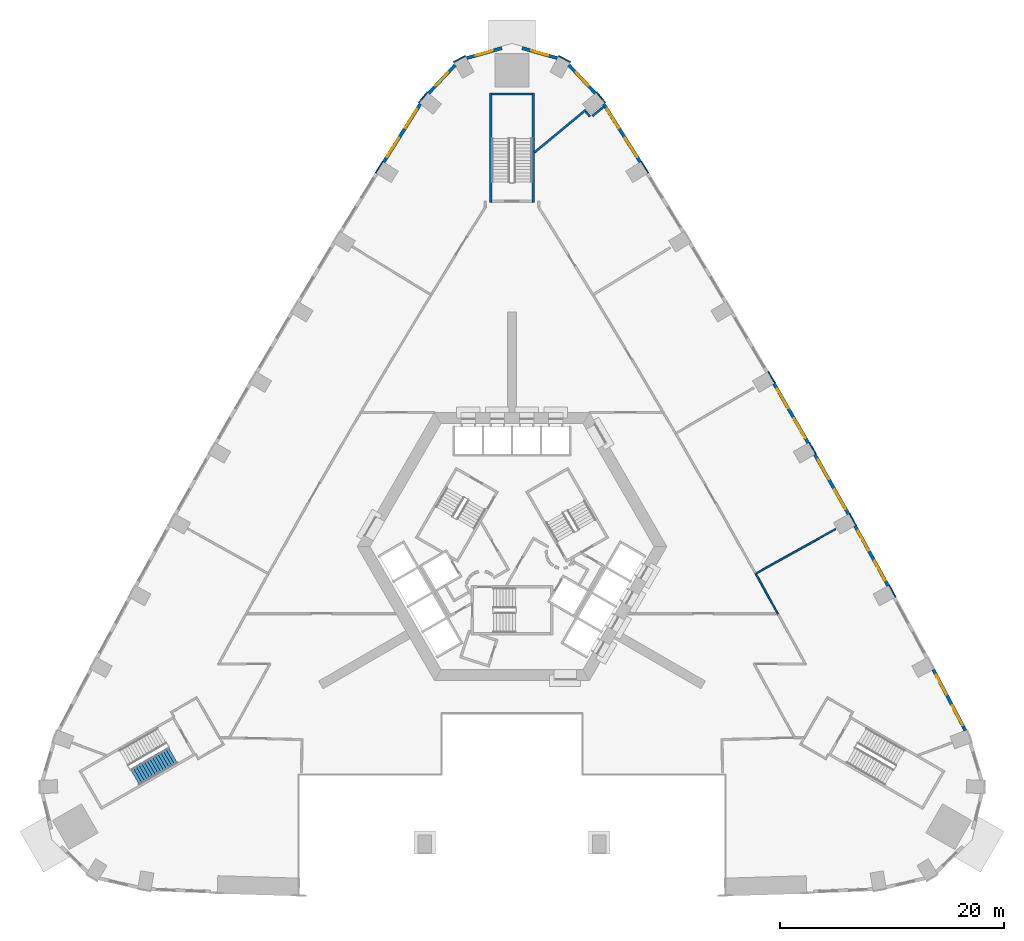
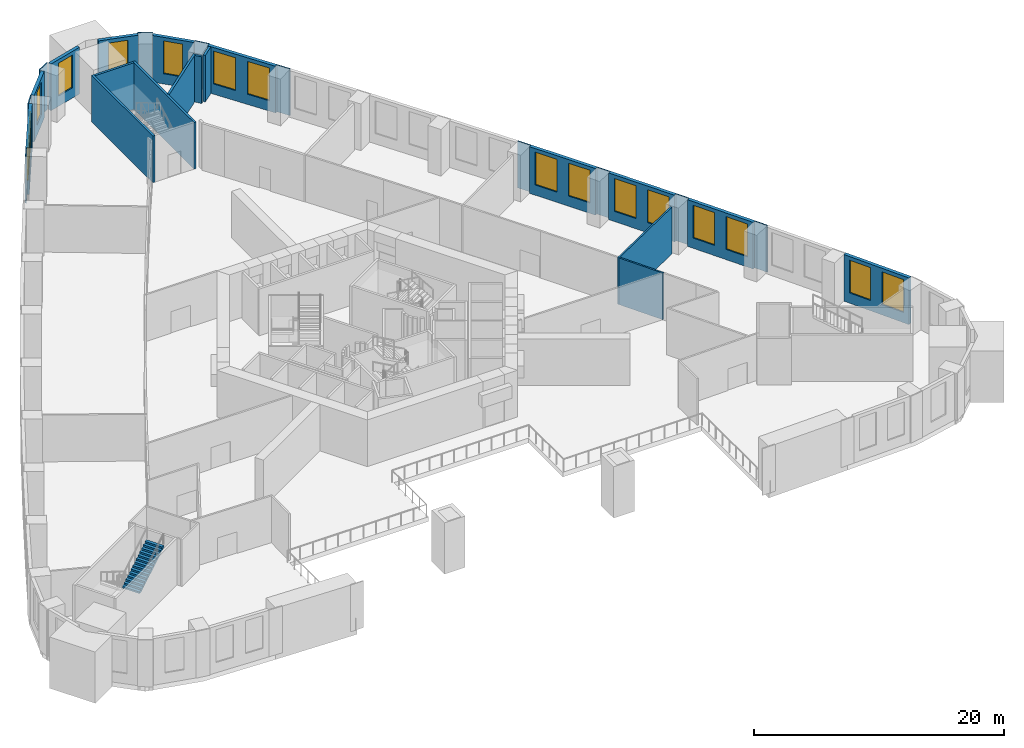
# One storey, part 8 of 16: 28 walls, 16 windows, 1 stair flight, 16 openings, 1 element without a shape of its own.
"""IFC4 building model written with IfcOpenShell, lengths in metres."""

from ifc_helpers import new_model, si_unit, direction, frame, frame_2d, origin, place, context, subcontext, project, spatial, polyline, rectangle, outline, extrude, material, layer, layer_set, type_object, element, fill, aggregate, save


model = new_model("IFC4")

# Units and contexts
model_context = context("Model", 3, precision=1e-05, world=origin(), true_north=direction((0.0, 1.0)))
body_context = subcontext(model_context, "Body", "Model", "MODEL_VIEW")
ifc_project = project(units=[si_unit("LENGTHUNIT", "METRE"), si_unit("AREAUNIT", "SQUARE_METRE"), si_unit("VOLUMEUNIT", "CUBIC_METRE"), si_unit("PLANEANGLEUNIT", "RADIAN"), si_unit("MASSUNIT", "GRAM", prefix="KILO")], contexts=[model_context])

# Site, building, storey
site_placement = place(None, origin())
site = spatial("IfcSite", under=ifc_project, at=site_placement, CompositionType="ELEMENT")
building_placement = place(site_placement, origin())
building = spatial("IfcBuilding", under=site, at=building_placement, Name="Entoto Arch Interchange Tower", CompositionType="ELEMENT")
storey_placement = place(building_placement, frame((0.0, 0.0, 25.0)))
storey = spatial("IfcBuildingStorey", under=building, at=storey_placement, Name="L04", CompositionType="ELEMENT", Elevation=25.0)

# Walls
ifc_material_1 = material(Name="Gypsum board partition on steel studs", Category="steel")
ifc_layer_1 = layer(ifc_material_1, 0.14990234375)
ifc_layer_set_1 = layer_set([ifc_layer_1], Name="Gypsum board partition on steel studs")
wall_type_1 = type_object("IfcWallType", Name="PARTITION 150", PredefinedType="PARTITIONING", material=ifc_layer_set_1)
wall_1_placement = place(storey_placement, frame((21.735107421875, 0.0439453125, 0.0), z_axis=(0.0, 0.0, 1.0), x_axis=(0.873420749931, 0.48696631669, 0.0)))
element("IfcWall", 1, at=wall_1_placement, inside=storey, type_object=wall_type_1, Name="wall:L04:p044", PredefinedType="PARTITIONING", context=body_context, shape_type="SweptSolid", body=[
    extrude(rectangle(XDim=8.251220703125, YDim=0.14990234375, at=frame_2d((4.12548828125, 0.0))), origin(), (0.0, 0.0, 1.0), 4.550048828125),
])
wall_2_placement = place(storey_placement, frame((23.81396484375, -3.56494140625, 0.0), z_axis=(0.0, 0.0, 1.0), x_axis=(-0.483357057036, 0.875423300703, 0.0)))
element("IfcWall", 2, at=wall_2_placement, inside=storey, type_object=wall_type_1, Name="wall:L04:p052", PredefinedType="PARTITIONING", context=body_context, shape_type="SweptSolid", body=[
    extrude(rectangle(XDim=4.083740234375, YDim=0.14990234375, at=frame_2d((2.0419921875, 0.0))), origin(), (0.0, 0.0, 1.0), 4.550048828125),
])
ifc_layer_2 = layer(ifc_material_1, 0.199951171875)
ifc_layer_set_2 = layer_set([ifc_layer_2], Name="Gypsum board partition on steel studs")
wall_type_2 = type_object("IfcWallType", Name="PARTITION 200", PredefinedType="PARTITIONING", material=ifc_layer_set_2)
wall_3_placement = place(storey_placement, frame((2.0, 37.758056640625, 0.0), z_axis=(0.0, 0.0, 1.0), x_axis=(0.7702988792, 0.637683022122, 0.0)))
element("IfcWall", 3, at=wall_3_placement, inside=storey, type_object=wall_type_2, Name="wall:L04:p060", PredefinedType="PARTITIONING", context=body_context, shape_type="SweptSolid", body=[
    extrude(rectangle(XDim=5.9794921875, YDim=0.199951171875, at=frame_2d((2.98974609375, 0.0))), origin(), (0.0, 0.0, 1.0), 4.550048828125),
])
wall_4_placement = place(storey_placement, frame((6.593017578125, 41.429931640625, 0.0), z_axis=(0.0, 0.0, 1.0), x_axis=(0.636576557089, -0.771213515808, 0.0)))
element("IfcWall", 4, at=wall_4_placement, inside=storey, type_object=wall_type_2, Name="wall:L04:p061", PredefinedType="PARTITIONING", context=body_context, shape_type="SweptSolid", body=[
    extrude(rectangle(XDim=0.60009765625, YDim=0.199951171875, at=frame_2d((0.300048828125, 0.0))), origin(), (0.0, 0.0, 1.0), 4.550048828125),
])
wall_5_placement = place(storey_placement, frame((7.193115234375, 41.01806640625, 0.0), z_axis=(0.0, 0.0, 1.0), x_axis=(0.77046149962, 0.637486531311, 0.0)))
element("IfcWall", 5, at=wall_5_placement, inside=storey, type_object=wall_type_2, Name="wall:L04:p062", PredefinedType="PARTITIONING", context=body_context, shape_type="SweptSolid", body=[
    extrude(rectangle(XDim=1.29248046875, YDim=0.199951171875, at=frame_2d((0.646240234375, 0.0))), origin(), (0.0, 0.0, 1.0), 4.550048828125),
])
ifc_material_2 = material(Name="Concrete C40/50", Category="concrete")
ifc_layer_3 = layer(ifc_material_2, 0.199951171875)
ifc_layer_set_3 = layer_set([ifc_layer_3], Name="Concrete C40/50")
wall_type_3 = type_object("IfcWallType", Name="STAIR ENCLOSURE WALL 200", PredefinedType="STANDARD", material=ifc_layer_set_3)
for number, where, z_axis, x_axis, name in (
    (6, (1.89990234375, 33.300048828125, 0.0), (0.0, 0.0, 1.0), (0.0, 1.0, 0.0), "Stair wall PST-N left"),
    (7, (-1.89990234375, 33.300048828125, 0.0), (0.0, 0.0, 1.0), (0.0, 1.0, 0.0), "Stair wall PST-N right"),
):
    element("IfcWall", number, at=place(storey_placement, frame(where, z_axis=z_axis, x_axis=x_axis)), inside=storey, type_object=wall_type_3, Name=name, PredefinedType="STANDARD", context=body_context, shape_type="SweptSolid", body=[
        extrude(rectangle(XDim=9.800048828125, YDim=0.199951171875, at=frame_2d((4.89990234375, 0.0))), origin(), (0.0, 0.0, 1.0), 4.550048828125),
    ])
wall_6_placement = place(storey_placement, frame((1.800048828125, 43.0, 0.0), z_axis=(0.0, 0.0, 1.0), x_axis=(-1.0, 0.0, 0.0)))
element("IfcWall", 8, at=wall_6_placement, inside=storey, type_object=wall_type_3, Name="Stair wall PST-N far", PredefinedType="STANDARD", context=body_context, shape_type="SweptSolid", body=[
    extrude(rectangle(XDim=3.60009765625, YDim=0.199951171875, at=frame_2d((1.800048828125, 0.0))), origin(), (0.0, 0.0, 1.0), 4.550048828125),
])

# Wall, openings, windows
ifc_material_3 = material(Name="Welded tuff (ignimbrite) cladding, warm buff", Category="masonry")
ifc_layer_4 = layer(ifc_material_3, 0.300048828125)
ifc_layer_set_4 = layer_set([ifc_layer_4], Name="Welded tuff (ignimbrite) cladding, warm buff")
wall_type_4 = type_object("IfcWallType", Name="STONE INFILL WALL 300", PredefinedType="STANDARD", material=ifc_layer_set_4)
wall_7_placement = place(storey_placement, frame((40.568115234375, -13.9560546875, 0.0), z_axis=(0.0, 0.0, 1.0), x_axis=(-0.466125129602, 0.884718804792, 0.0)))
wall_7 = element("IfcWall", 9, at=wall_7_placement, inside=storey, type_object=wall_type_4, Name="Facade wall NE-01 L04", PredefinedType="STANDARD", context=body_context, shape_type="SweptSolid", body=[
    extrude(rectangle(XDim=6.16357421875, YDim=0.300048828125, at=frame_2d((3.081787109375, 0.0))), origin(), (0.0, 0.0, 1.0), 4.550048828125),
])
opening_1_placement = place(wall_7_placement, frame((0.541015625, 0.0, 1.0)))
opening_1 = element("IfcOpeningElement", 10, at=opening_1_placement, cuts=wall_7, Name="Opening WP-E", PredefinedType="OPENING", context=body_context, shape_type="SweptSolid", body=[
    extrude(rectangle(XDim=2.0, YDim=3.199951171875, at=frame_2d((1.0, 1.60009765625))), frame((0.0, 0.16015625, 0.0), z_axis=(0.0, -1.0, 0.0), x_axis=(1.0, 0.0, 0.0)), (0.0, 0.0, 1.0), 0.320068359375),
])
opening_2_placement = place(wall_7_placement, frame((3.623046875, 0.0, 1.0)))
opening_2 = element("IfcOpeningElement", 11, at=opening_2_placement, cuts=wall_7, Name="Opening WP-E", PredefinedType="OPENING", context=body_context, shape_type="SweptSolid", body=[
    extrude(rectangle(XDim=2.0, YDim=3.199951171875, at=frame_2d((1.0, 1.60009765625))), frame((0.0, 0.16015625, 0.0), z_axis=(0.0, -1.0, 0.0), x_axis=(1.0, 0.0, 0.0)), (0.0, 0.0, 1.0), 0.320068359375),
])
ifc_material_4 = material(Name="Clear glass, low-e double glazed", Category="glass")
window_type_1 = type_object("IfcWindowType", Name="WINDOW WP-E 2000x3200", PartitioningType="DOUBLE_PANEL_VERTICAL", PredefinedType="WINDOW", material=ifc_material_4)
window_1_placement = place(opening_1_placement, origin())
window_1 = element("IfcWindow", 12, at=window_1_placement, inside=storey, type_object=window_type_1, Name="Window WP-E NE-01 L04", OverallHeight=3.199951171875, OverallWidth=2.0, PartitioningType="SINGLE_PANEL", PredefinedType="WINDOW", context=body_context, shape_type="SweptSolid", body=[
    extrude(rectangle(XDim=2.0, YDim=3.199951171875, at=frame_2d((1.0, 1.60009765625))), frame((0.0, 0.030029296875, 0.0), z_axis=(0.0, -1.0, 0.0), x_axis=(1.0, 0.0, 0.0)), (0.0, 0.0, 1.0), 0.06005859375),
])
fill(opening_1, window_1)
window_2_placement = place(opening_2_placement, origin())
window_2 = element("IfcWindow", 13, at=window_2_placement, inside=storey, type_object=window_type_1, Name="Window WP-E NE-01 L04", OverallHeight=3.199951171875, OverallWidth=2.0, PartitioningType="SINGLE_PANEL", PredefinedType="WINDOW", context=body_context, shape_type="SweptSolid", body=[
    extrude(rectangle(XDim=2.0, YDim=3.199951171875, at=frame_2d((1.0, 1.60009765625))), frame((0.0, 0.030029296875, 0.0), z_axis=(0.0, -1.0, 0.0), x_axis=(1.0, 0.0, 0.0)), (0.0, 0.0, 1.0), 0.06005859375),
])
fill(opening_2, window_2)

wall_8_placement = place(storey_placement, frame((33.652099609375, -1.006103515625, 0.0), z_axis=(0.0, 0.0, 1.0), x_axis=(-0.483233380559, 0.875491576152, 0.0)))
wall_8 = element("IfcWall", 14, at=wall_8_placement, inside=storey, type_object=wall_type_4, Name="Facade wall NE-03 L04", PredefinedType="STANDARD", context=body_context, shape_type="SweptSolid", body=[
    extrude(rectangle(XDim=6.121337890625, YDim=0.300048828125, at=frame_2d((3.060546875, 0.0))), origin(), (0.0, 0.0, 1.0), 4.550048828125),
])
opening_3_placement = place(wall_8_placement, frame((0.530029296875, 0.0, 1.0)))
opening_3 = element("IfcOpeningElement", 15, at=opening_3_placement, cuts=wall_8, Name="Opening WP-E", PredefinedType="OPENING", context=body_context, shape_type="SweptSolid", body=[
    extrude(rectangle(XDim=2.0, YDim=3.199951171875, at=frame_2d((1.0, 1.60009765625))), frame((0.0, 0.16015625, 0.0), z_axis=(0.0, -1.0, 0.0), x_axis=(1.0, 0.0, 0.0)), (0.0, 0.0, 1.0), 0.320068359375),
])
opening_4_placement = place(wall_8_placement, frame((3.591064453125, 0.0, 1.0)))
opening_4 = element("IfcOpeningElement", 16, at=opening_4_placement, cuts=wall_8, Name="Opening WP-E", PredefinedType="OPENING", context=body_context, shape_type="SweptSolid", body=[
    extrude(rectangle(XDim=2.0, YDim=3.199951171875, at=frame_2d((1.0, 1.60009765625))), frame((0.0, 0.16015625, 0.0), z_axis=(0.0, -1.0, 0.0), x_axis=(1.0, 0.0, 0.0)), (0.0, 0.0, 1.0), 0.320068359375),
])
window_3_placement = place(opening_3_placement, origin())
window_3 = element("IfcWindow", 17, at=window_3_placement, inside=storey, type_object=window_type_1, Name="Window WP-E NE-03 L04", OverallHeight=3.199951171875, OverallWidth=2.0, PartitioningType="SINGLE_PANEL", PredefinedType="WINDOW", context=body_context, shape_type="SweptSolid", body=[
    extrude(rectangle(XDim=2.0, YDim=3.199951171875, at=frame_2d((1.0, 1.60009765625))), frame((0.0, 0.030029296875, 0.0), z_axis=(0.0, -1.0, 0.0), x_axis=(1.0, 0.0, 0.0)), (0.0, 0.0, 1.0), 0.06005859375),
])
fill(opening_3, window_3)
window_4_placement = place(opening_4_placement, origin())
window_4 = element("IfcWindow", 18, at=window_4_placement, inside=storey, type_object=window_type_1, Name="Window WP-E NE-03 L04", OverallHeight=3.199951171875, OverallWidth=2.0, PartitioningType="SINGLE_PANEL", PredefinedType="WINDOW", context=body_context, shape_type="SweptSolid", body=[
    extrude(rectangle(XDim=2.0, YDim=3.199951171875, at=frame_2d((1.0, 1.60009765625))), frame((0.0, 0.030029296875, 0.0), z_axis=(0.0, -1.0, 0.0), x_axis=(1.0, 0.0, 0.0)), (0.0, 0.0, 1.0), 0.06005859375),
])
fill(opening_4, window_4)

wall_9_placement = place(storey_placement, frame((30.111083984375, 5.39892578125, 0.0), z_axis=(0.0, 0.0, 1.0), x_axis=(-0.491661677717, 0.870786308267, 0.0)))
wall_9 = element("IfcWall", 19, at=wall_9_placement, inside=storey, type_object=wall_type_4, Name="Facade wall NE-04 L04", PredefinedType="STANDARD", context=body_context, shape_type="SweptSolid", body=[
    extrude(rectangle(XDim=6.1220703125, YDim=0.300048828125, at=frame_2d((3.06103515625, 0.0))), origin(), (0.0, 0.0, 1.0), 4.550048828125),
])
opening_5_placement = place(wall_9_placement, frame((0.531005859375, 0.0, 1.0)))
opening_5 = element("IfcOpeningElement", 20, at=opening_5_placement, cuts=wall_9, Name="Opening WP-E", PredefinedType="OPENING", context=body_context, shape_type="SweptSolid", body=[
    extrude(rectangle(XDim=2.0, YDim=3.199951171875, at=frame_2d((1.0, 1.60009765625))), frame((0.0, 0.16015625, 0.0), z_axis=(0.0, -1.0, 0.0), x_axis=(1.0, 0.0, 0.0)), (0.0, 0.0, 1.0), 0.320068359375),
])
opening_6_placement = place(wall_9_placement, frame((3.592041015625, 0.0, 1.0)))
opening_6 = element("IfcOpeningElement", 21, at=opening_6_placement, cuts=wall_9, Name="Opening WP-E", PredefinedType="OPENING", context=body_context, shape_type="SweptSolid", body=[
    extrude(rectangle(XDim=2.0, YDim=3.199951171875, at=frame_2d((1.0, 1.60009765625))), frame((0.0, 0.16015625, 0.0), z_axis=(0.0, -1.0, 0.0), x_axis=(1.0, 0.0, 0.0)), (0.0, 0.0, 1.0), 0.320068359375),
])
window_5_placement = place(opening_5_placement, origin())
window_5 = element("IfcWindow", 22, at=window_5_placement, inside=storey, type_object=window_type_1, Name="Window WP-E NE-04 L04", OverallHeight=3.199951171875, OverallWidth=2.0, PartitioningType="SINGLE_PANEL", PredefinedType="WINDOW", context=body_context, shape_type="SweptSolid", body=[
    extrude(rectangle(XDim=2.0, YDim=3.199951171875, at=frame_2d((1.0, 1.60009765625))), frame((0.0, 0.030029296875, 0.0), z_axis=(0.0, -1.0, 0.0), x_axis=(1.0, 0.0, 0.0)), (0.0, 0.0, 1.0), 0.06005859375),
])
fill(opening_5, window_5)
window_6_placement = place(opening_6_placement, origin())
window_6 = element("IfcWindow", 23, at=window_6_placement, inside=storey, type_object=window_type_1, Name="Window WP-E NE-04 L04", OverallHeight=3.199951171875, OverallWidth=2.0, PartitioningType="SINGLE_PANEL", PredefinedType="WINDOW", context=body_context, shape_type="SweptSolid", body=[
    extrude(rectangle(XDim=2.0, YDim=3.199951171875, at=frame_2d((1.0, 1.60009765625))), frame((0.0, 0.030029296875, 0.0), z_axis=(0.0, -1.0, 0.0), x_axis=(1.0, 0.0, 0.0)), (0.0, 0.0, 1.0), 0.06005859375),
])
fill(opening_6, window_6)

wall_10_placement = place(storey_placement, frame((26.507080078125, 11.77001953125, 0.0), z_axis=(0.0, 0.0, 1.0), x_axis=(-0.499939977436, 0.866060055055, 0.0)))
wall_10 = element("IfcWall", 24, at=wall_10_placement, inside=storey, type_object=wall_type_4, Name="Facade wall NE-05 L04", PredefinedType="STANDARD", context=body_context, shape_type="SweptSolid", body=[
    extrude(rectangle(XDim=6.120849609375, YDim=0.300048828125, at=frame_2d((3.060546875, 0.0))), origin(), (0.0, 0.0, 1.0), 4.550048828125),
])
opening_7_placement = place(wall_10_placement, frame((0.530029296875, 0.0, 1.0)))
opening_7 = element("IfcOpeningElement", 25, at=opening_7_placement, cuts=wall_10, Name="Opening WP-E", PredefinedType="OPENING", context=body_context, shape_type="SweptSolid", body=[
    extrude(rectangle(XDim=2.0, YDim=3.199951171875, at=frame_2d((1.0, 1.60009765625))), frame((0.0, 0.16015625, 0.0), z_axis=(0.0, -1.0, 0.0), x_axis=(1.0, 0.0, 0.0)), (0.0, 0.0, 1.0), 0.320068359375),
])
opening_8_placement = place(wall_10_placement, frame((3.591064453125, 0.0, 1.0)))
opening_8 = element("IfcOpeningElement", 26, at=opening_8_placement, cuts=wall_10, Name="Opening WP-E", PredefinedType="OPENING", context=body_context, shape_type="SweptSolid", body=[
    extrude(rectangle(XDim=2.0, YDim=3.199951171875, at=frame_2d((1.0, 1.60009765625))), frame((0.0, 0.16015625, 0.0), z_axis=(0.0, -1.0, 0.0), x_axis=(1.0, 0.0, 0.0)), (0.0, 0.0, 1.0), 0.320068359375),
])
window_7_placement = place(opening_7_placement, origin())
window_7 = element("IfcWindow", 27, at=window_7_placement, inside=storey, type_object=window_type_1, Name="Window WP-E NE-05 L04", OverallHeight=3.199951171875, OverallWidth=2.0, PartitioningType="SINGLE_PANEL", PredefinedType="WINDOW", context=body_context, shape_type="SweptSolid", body=[
    extrude(rectangle(XDim=2.0, YDim=3.199951171875, at=frame_2d((1.0, 1.60009765625))), frame((0.0, 0.030029296875, 0.0), z_axis=(0.0, -1.0, 0.0), x_axis=(1.0, 0.0, 0.0)), (0.0, 0.0, 1.0), 0.06005859375),
])
fill(opening_7, window_7)
window_8_placement = place(opening_8_placement, origin())
window_8 = element("IfcWindow", 28, at=window_8_placement, inside=storey, type_object=window_type_1, Name="Window WP-E NE-05 L04", OverallHeight=3.199951171875, OverallWidth=2.0, PartitioningType="SINGLE_PANEL", PredefinedType="WINDOW", context=body_context, shape_type="SweptSolid", body=[
    extrude(rectangle(XDim=2.0, YDim=3.199951171875, at=frame_2d((1.0, 1.60009765625))), frame((0.0, 0.030029296875, 0.0), z_axis=(0.0, -1.0, 0.0), x_axis=(1.0, 0.0, 0.0)), (0.0, 0.0, 1.0), 0.06005859375),
])
fill(opening_8, window_8)

wall_11_placement = place(storey_placement, frame((11.48291015625, 36.89697265625, 0.0), z_axis=(0.0, 0.0, 1.0), x_axis=(-0.53304020879, 0.846089910006, 0.0)))
wall_11 = element("IfcWall", 29, at=wall_11_placement, inside=storey, type_object=wall_type_4, Name="Facade wall NE-09 L04", PredefinedType="STANDARD", context=body_context, shape_type="SweptSolid", body=[
    extrude(rectangle(XDim=6.16259765625, YDim=0.300048828125, at=frame_2d((3.081298828125, 0.0))), origin(), (0.0, 0.0, 1.0), 4.550048828125),
])
opening_9_placement = place(wall_11_placement, frame((0.541015625, 0.0, 1.0)))
opening_9 = element("IfcOpeningElement", 30, at=opening_9_placement, cuts=wall_11, Name="Opening WP-E", PredefinedType="OPENING", context=body_context, shape_type="SweptSolid", body=[
    extrude(rectangle(XDim=2.0, YDim=3.199951171875, at=frame_2d((1.0, 1.60009765625))), frame((0.0, 0.16015625, 0.0), z_axis=(0.0, -1.0, 0.0), x_axis=(1.0, 0.0, 0.0)), (0.0, 0.0, 1.0), 0.320068359375),
])
opening_10_placement = place(wall_11_placement, frame((3.6220703125, 0.0, 1.0)))
opening_10 = element("IfcOpeningElement", 31, at=opening_10_placement, cuts=wall_11, Name="Opening WP-E", PredefinedType="OPENING", context=body_context, shape_type="SweptSolid", body=[
    extrude(rectangle(XDim=2.0, YDim=3.199951171875, at=frame_2d((1.0, 1.60009765625))), frame((0.0, 0.16015625, 0.0), z_axis=(0.0, -1.0, 0.0), x_axis=(1.0, 0.0, 0.0)), (0.0, 0.0, 1.0), 0.320068359375),
])
window_9_placement = place(opening_9_placement, origin())
window_9 = element("IfcWindow", 32, at=window_9_placement, inside=storey, type_object=window_type_1, Name="Window WP-E NE-09 L04", OverallHeight=3.199951171875, OverallWidth=2.0, PartitioningType="SINGLE_PANEL", PredefinedType="WINDOW", context=body_context, shape_type="SweptSolid", body=[
    extrude(rectangle(XDim=2.0, YDim=3.199951171875, at=frame_2d((1.0, 1.60009765625))), frame((0.0, 0.030029296875, 0.0), z_axis=(0.0, -1.0, 0.0), x_axis=(1.0, 0.0, 0.0)), (0.0, 0.0, 1.0), 0.06005859375),
])
fill(opening_9, window_9)
window_10_placement = place(opening_10_placement, origin())
window_10 = element("IfcWindow", 33, at=window_10_placement, inside=storey, type_object=window_type_1, Name="Window WP-E NE-09 L04", OverallHeight=3.199951171875, OverallWidth=2.0, PartitioningType="SINGLE_PANEL", PredefinedType="WINDOW", context=body_context, shape_type="SweptSolid", body=[
    extrude(rectangle(XDim=2.0, YDim=3.199951171875, at=frame_2d((1.0, 1.60009765625))), frame((0.0, 0.030029296875, 0.0), z_axis=(0.0, -1.0, 0.0), x_axis=(1.0, 0.0, 0.0)), (0.0, 0.0, 1.0), 0.06005859375),
])
fill(opening_10, window_10)

# Wall, opening, window
wall_12_placement = place(storey_placement, frame((7.464111328125, 43.05810546875, 0.0), z_axis=(0.0, 0.0, 1.0), x_axis=(-0.687081126245, 0.726580708495, 0.0)))
wall_12 = element("IfcWall", 34, at=wall_12_placement, inside=storey, type_object=wall_type_4, Name="Facade wall N-01 L04", PredefinedType="STANDARD", context=body_context, shape_type="SweptSolid", body=[
    extrude(rectangle(XDim=3.461181640625, YDim=0.300048828125, at=frame_2d((1.73046875, 0.0))), origin(), (0.0, 0.0, 1.0), 4.550048828125),
])
opening_11_placement = place(wall_12_placement, frame((0.930908203125, 0.0, 1.0)))
opening_11 = element("IfcOpeningElement", 35, at=opening_11_placement, cuts=wall_12, Name="Opening WP-C", PredefinedType="OPENING", context=body_context, shape_type="SweptSolid", body=[
    extrude(rectangle(XDim=1.60009765625, YDim=3.199951171875, at=frame_2d((0.800048828125, 1.60009765625))), frame((0.0, 0.16015625, 0.0), z_axis=(0.0, -1.0, 0.0), x_axis=(1.0, 0.0, 0.0)), (0.0, 0.0, 1.0), 0.320068359375),
])
window_type_2 = type_object("IfcWindowType", Name="WINDOW WP-C 1600x3200", PartitioningType="DOUBLE_PANEL_VERTICAL", PredefinedType="WINDOW", material=ifc_material_4)
window_11_placement = place(opening_11_placement, origin())
window_11 = element("IfcWindow", 36, at=window_11_placement, inside=storey, type_object=window_type_2, Name="Window WP-C N-01 L04", OverallHeight=3.199951171875, OverallWidth=1.60009765625, PartitioningType="SINGLE_PANEL", PredefinedType="WINDOW", context=body_context, shape_type="SweptSolid", body=[
    extrude(rectangle(XDim=1.60009765625, YDim=3.199951171875, at=frame_2d((0.800048828125, 1.60009765625))), frame((0.0, 0.030029296875, 0.0), z_axis=(0.0, -1.0, 0.0), x_axis=(1.0, 0.0, 0.0)), (0.0, 0.0, 1.0), 0.06005859375),
])
fill(opening_11, window_11)

wall_13_placement = place(storey_placement, frame((4.06396484375, 46.201904296875, 0.0), z_axis=(0.0, 0.0, 1.0), x_axis=(-0.961934470867, 0.273280211062, 0.0)))
wall_13 = element("IfcWall", 37, at=wall_13_placement, inside=storey, type_object=wall_type_4, Name="Facade wall N-02 L04", PredefinedType="STANDARD", context=body_context, shape_type="SweptSolid", body=[
    extrude(rectangle(XDim=3.290283203125, YDim=0.300048828125, at=frame_2d((1.64501953125, 0.0))), origin(), (0.0, 0.0, 1.0), 4.550048828125),
])
opening_12_placement = place(wall_13_placement, frame((0.844970703125, 0.0, 1.0)))
opening_12 = element("IfcOpeningElement", 38, at=opening_12_placement, cuts=wall_13, Name="Opening WP-C", PredefinedType="OPENING", context=body_context, shape_type="SweptSolid", body=[
    extrude(rectangle(XDim=1.60009765625, YDim=3.199951171875, at=frame_2d((0.800048828125, 1.60009765625))), frame((0.0, 0.16015625, 0.0), z_axis=(0.0, -1.0, 0.0), x_axis=(1.0, 0.0, 0.0)), (0.0, 0.0, 1.0), 0.320068359375),
])
window_12_placement = place(opening_12_placement, origin())
window_12 = element("IfcWindow", 39, at=window_12_placement, inside=storey, type_object=window_type_2, Name="Window WP-C N-02 L04", OverallHeight=3.199951171875, OverallWidth=1.60009765625, PartitioningType="SINGLE_PANEL", PredefinedType="WINDOW", context=body_context, shape_type="SweptSolid", body=[
    extrude(rectangle(XDim=1.60009765625, YDim=3.199951171875, at=frame_2d((0.800048828125, 1.60009765625))), frame((0.0, 0.030029296875, 0.0), z_axis=(0.0, -1.0, 0.0), x_axis=(1.0, 0.0, 0.0)), (0.0, 0.0, 1.0), 0.06005859375),
])
fill(opening_12, window_12)

wall_14_placement = place(storey_placement, frame((-0.89892578125, 47.10107421875, 0.0), z_axis=(0.0, 0.0, 1.0), x_axis=(-0.961934470867, -0.273280211062, 0.0)))
wall_14 = element("IfcWall", 40, at=wall_14_placement, inside=storey, type_object=wall_type_4, Name="Facade wall N-03 L04", PredefinedType="STANDARD", context=body_context, shape_type="SweptSolid", body=[
    extrude(rectangle(XDim=3.290283203125, YDim=0.300048828125, at=frame_2d((1.64501953125, 0.0))), origin(), (0.0, 0.0, 1.0), 4.550048828125),
])
opening_13_placement = place(wall_14_placement, frame((0.844970703125, 0.0, 1.0)))
opening_13 = element("IfcOpeningElement", 41, at=opening_13_placement, cuts=wall_14, Name="Opening WP-C", PredefinedType="OPENING", context=body_context, shape_type="SweptSolid", body=[
    extrude(rectangle(XDim=1.60009765625, YDim=3.199951171875, at=frame_2d((0.800048828125, 1.60009765625))), frame((0.0, 0.16015625, 0.0), z_axis=(0.0, -1.0, 0.0), x_axis=(1.0, 0.0, 0.0)), (0.0, 0.0, 1.0), 0.320068359375),
])
window_13_placement = place(opening_13_placement, origin())
window_13 = element("IfcWindow", 42, at=window_13_placement, inside=storey, type_object=window_type_2, Name="Window WP-C N-03 L04", OverallHeight=3.199951171875, OverallWidth=1.60009765625, PartitioningType="SINGLE_PANEL", PredefinedType="WINDOW", context=body_context, shape_type="SweptSolid", body=[
    extrude(rectangle(XDim=1.60009765625, YDim=3.199951171875, at=frame_2d((0.800048828125, 1.60009765625))), frame((0.0, 0.030029296875, 0.0), z_axis=(0.0, -1.0, 0.0), x_axis=(1.0, 0.0, 0.0)), (0.0, 0.0, 1.0), 0.06005859375),
])
fill(opening_13, window_13)

wall_15_placement = place(storey_placement, frame((-5.0859375, 45.572998046875, 0.0), z_axis=(0.0, 0.0, 1.0), x_axis=(-0.687081126245, -0.726580708495, 0.0)))
wall_15 = element("IfcWall", 43, at=wall_15_placement, inside=storey, type_object=wall_type_4, Name="Facade wall N-04 L04", PredefinedType="STANDARD", context=body_context, shape_type="SweptSolid", body=[
    extrude(rectangle(XDim=3.461181640625, YDim=0.300048828125, at=frame_2d((1.73046875, 0.0))), origin(), (0.0, 0.0, 1.0), 4.550048828125),
])
opening_14_placement = place(wall_15_placement, frame((0.930908203125, 0.0, 1.0)))
opening_14 = element("IfcOpeningElement", 44, at=opening_14_placement, cuts=wall_15, Name="Opening WP-C", PredefinedType="OPENING", context=body_context, shape_type="SweptSolid", body=[
    extrude(rectangle(XDim=1.60009765625, YDim=3.199951171875, at=frame_2d((0.800048828125, 1.60009765625))), frame((0.0, 0.16015625, 0.0), z_axis=(0.0, -1.0, 0.0), x_axis=(1.0, 0.0, 0.0)), (0.0, 0.0, 1.0), 0.320068359375),
])
window_14_placement = place(opening_14_placement, origin())
window_14 = element("IfcWindow", 45, at=window_14_placement, inside=storey, type_object=window_type_2, Name="Window WP-C N-04 L04", OverallHeight=3.199951171875, OverallWidth=1.60009765625, PartitioningType="SINGLE_PANEL", PredefinedType="WINDOW", context=body_context, shape_type="SweptSolid", body=[
    extrude(rectangle(XDim=1.60009765625, YDim=3.199951171875, at=frame_2d((0.800048828125, 1.60009765625))), frame((0.0, 0.030029296875, 0.0), z_axis=(0.0, -1.0, 0.0), x_axis=(1.0, 0.0, 0.0)), (0.0, 0.0, 1.0), 0.06005859375),
])
fill(opening_14, window_14)

# Wall, openings, windows
wall_16_placement = place(storey_placement, frame((-8.197998046875, 42.111083984375, 0.0), z_axis=(0.0, 0.0, 1.0), x_axis=(-0.53304020879, -0.846089910006, 0.0)))
wall_16 = element("IfcWall", 46, at=wall_16_placement, inside=storey, type_object=wall_type_4, Name="Facade wall NW-01 L04", PredefinedType="STANDARD", context=body_context, shape_type="SweptSolid", body=[
    extrude(rectangle(XDim=6.16259765625, YDim=0.300048828125, at=frame_2d((3.081298828125, 0.0))), origin(), (0.0, 0.0, 1.0), 4.550048828125),
])
opening_15_placement = place(wall_16_placement, frame((0.541015625, 0.0, 1.0)))
opening_15 = element("IfcOpeningElement", 47, at=opening_15_placement, cuts=wall_16, Name="Opening WP-E", PredefinedType="OPENING", context=body_context, shape_type="SweptSolid", body=[
    extrude(rectangle(XDim=2.0, YDim=3.199951171875, at=frame_2d((1.0, 1.60009765625))), frame((0.0, 0.16015625, 0.0), z_axis=(0.0, -1.0, 0.0), x_axis=(1.0, 0.0, 0.0)), (0.0, 0.0, 1.0), 0.320068359375),
])
opening_16_placement = place(wall_16_placement, frame((3.6220703125, 0.0, 1.0)))
opening_16 = element("IfcOpeningElement", 48, at=opening_16_placement, cuts=wall_16, Name="Opening WP-E", PredefinedType="OPENING", context=body_context, shape_type="SweptSolid", body=[
    extrude(rectangle(XDim=2.0, YDim=3.199951171875, at=frame_2d((1.0, 1.60009765625))), frame((0.0, 0.16015625, 0.0), z_axis=(0.0, -1.0, 0.0), x_axis=(1.0, 0.0, 0.0)), (0.0, 0.0, 1.0), 0.320068359375),
])
window_15_placement = place(opening_15_placement, origin())
window_15 = element("IfcWindow", 49, at=window_15_placement, inside=storey, type_object=window_type_1, Name="Window WP-E NW-01 L04", OverallHeight=3.199951171875, OverallWidth=2.0, PartitioningType="SINGLE_PANEL", PredefinedType="WINDOW", context=body_context, shape_type="SweptSolid", body=[
    extrude(rectangle(XDim=2.0, YDim=3.199951171875, at=frame_2d((1.0, 1.60009765625))), frame((0.0, 0.030029296875, 0.0), z_axis=(0.0, -1.0, 0.0), x_axis=(1.0, 0.0, 0.0)), (0.0, 0.0, 1.0), 0.06005859375),
])
fill(opening_15, window_15)
window_16_placement = place(opening_16_placement, origin())
window_16 = element("IfcWindow", 50, at=window_16_placement, inside=storey, type_object=window_type_1, Name="Window WP-E NW-01 L04", OverallHeight=3.199951171875, OverallWidth=2.0, PartitioningType="SINGLE_PANEL", PredefinedType="WINDOW", context=body_context, shape_type="SweptSolid", body=[
    extrude(rectangle(XDim=2.0, YDim=3.199951171875, at=frame_2d((1.0, 1.60009765625))), frame((0.0, 0.030029296875, 0.0), z_axis=(0.0, -1.0, 0.0), x_axis=(1.0, 0.0, 0.0)), (0.0, 0.0, 1.0), 0.06005859375),
])
fill(opening_16, window_16)

# Walls
ifc_layer_5 = layer(ifc_material_3, 0.10009765625)
ifc_layer_set_5 = layer_set([ifc_layer_5], Name="Welded tuff (ignimbrite) cladding, warm buff")
wall_type_5 = type_object("IfcWallType", Name="STONE PIER CLADDING 100", PredefinedType="STANDARD", material=ifc_layer_set_5)
for number, where, z_axis, x_axis, name in (
    (51, (5.23095703125, 45.8369140625, 0.0), (0.0, 0.0, 1.0), (-0.877069725045, 0.480363089141, 0.0), "Stone pier N1 L04"),
    (52, (-4.178955078125, 46.4130859375, 0.0), (0.0, 0.0, 1.0), (-0.877069725045, -0.480363089141, 0.0), "Stone pier N3 L04"),
):
    element("IfcWall", number, at=place(storey_placement, frame(where, z_axis=z_axis, x_axis=x_axis)), inside=storey, type_object=wall_type_5, Name=name, PredefinedType="STANDARD", context=body_context, shape_type="SweptSolid", body=[
        extrude(rectangle(XDim=1.199462890625, YDim=0.10009765625, at=frame_2d((0.599609375, 0.0))), origin(), (0.0, 0.0, 1.0), 4.550048828125),
    ])
wall_17_placement = place(storey_placement, frame((34.31591796875, -2.010009765625, 0.0), z_axis=(0.0, 0.0, 1.0), x_axis=(-0.478267644701, 0.878214131082, 0.0)))
element("IfcWall", 53, at=wall_17_placement, inside=storey, type_object=wall_type_5, Name="Stone pier NE03 L04", PredefinedType="STANDARD", context=body_context, shape_type="SweptSolid", body=[
    extrude(rectangle(XDim=1.2001953125, YDim=0.10009765625, at=frame_2d((0.60009765625, 0.0))), origin(), (0.0, 0.0, 1.0), 4.550048828125),
])
wall_18_placement = place(storey_placement, frame((30.783935546875, 4.402099609375, 0.0), z_axis=(0.0, 0.0, 1.0), x_axis=(-0.486817526853, 0.873503689488, 0.0)))
element("IfcWall", 54, at=wall_18_placement, inside=storey, type_object=wall_type_5, Name="Stone pier NE04 L04", PredefinedType="STANDARD", context=body_context, shape_type="SweptSolid", body=[
    extrude(rectangle(XDim=1.19970703125, YDim=0.10009765625, at=frame_2d((0.599853515625, 0.0))), origin(), (0.0, 0.0, 1.0), 4.550048828125),
])
wall_19_placement = place(storey_placement, frame((27.19091796875, 10.780029296875, 0.0), z_axis=(0.0, 0.0, 1.0), x_axis=(-0.495854054996, 0.868405870629, 0.0)))
element("IfcWall", 55, at=wall_19_placement, inside=storey, type_object=wall_type_5, Name="Stone pier NE05 L04", PredefinedType="STANDARD", context=body_context, shape_type="SweptSolid", body=[
    extrude(rectangle(XDim=1.199951171875, YDim=0.10009765625, at=frame_2d((0.60009765625, 0.0))), origin(), (0.0, 0.0, 1.0), 4.550048828125),
])
wall_20_placement = place(storey_placement, frame((23.535888671875, 17.1220703125, 0.0), z_axis=(0.0, 0.0, 1.0), x_axis=(-0.504313844903, 0.863520437418, 0.0)))
element("IfcWall", 56, at=wall_20_placement, inside=storey, type_object=wall_type_5, Name="Stone pier NE06 L04", PredefinedType="STANDARD", context=body_context, shape_type="SweptSolid", body=[
    extrude(rectangle(XDim=1.19970703125, YDim=0.10009765625, at=frame_2d((0.599853515625, 0.0))), origin(), (0.0, 0.0, 1.0), 4.550048828125),
])
for number, where, z_axis, x_axis, name in (
    (57, (12.2060546875, 35.93505859375, 0.0), (0.0, 0.0, 1.0), (-0.530273374944, 0.847826720401, 0.0), "Stone pier NE09 L04"),
    (58, (8.3359375, 42.22412109375, 0.0), (0.0, 0.0, 1.0), (-0.637738500874, 0.77025294839, 0.0), "Stone pier NE10 L04"),
    (59, (-7.571044921875, 43.14794921875, 0.0), (0.0, 0.0, 1.0), (-0.637738500874, -0.77025294839, 0.0), "Stone pier NW01 L04"),
    (60, (-11.570068359375, 36.951904296875, 0.0), (0.0, 0.0, 1.0), (-0.530273374944, -0.847826720401, 0.0), "Stone pier NW02 L04"),
):
    element("IfcWall", number, at=place(storey_placement, frame(where, z_axis=z_axis, x_axis=x_axis)), inside=storey, type_object=wall_type_5, Name=name, PredefinedType="STANDARD", context=body_context, shape_type="SweptSolid", body=[
        extrude(rectangle(XDim=1.199462890625, YDim=0.10009765625, at=frame_2d((0.599609375, 0.0))), origin(), (0.0, 0.0, 1.0), 4.550048828125),
    ])

# Stair, stair flight
stair_type = type_object("IfcStairType", Name="PODIUM EXIT STAIR RC 1600", PredefinedType="HALF_TURN_STAIR", material=ifc_material_2)
stair_placement = place(storey_placement, origin())
stair = element("IfcStair", 61, at=stair_placement, inside=storey, type_object=stair_type, Name="L04 Podium exit stair south-west", PredefinedType="HALF_TURN_STAIR")
stair_flight_type = type_object("IfcStairFlightType", Name="PODIUM EXIT STAIR FLIGHT RC", PredefinedType="STRAIGHT", material=ifc_material_2)
stair_flight_placement = place(storey_placement, frame((-33.725341796875, -18.1259765625, 2.5), z_axis=(0.0, 0.0, 1.0), x_axis=(0.866025403784, 0.5, 0.0)))
stair_flight = element("IfcStairFlight", 62, at=stair_flight_placement, type_object=stair_flight_type, Name="PST-SW flight 2", NumberOfRisers=15, NumberOfTreads=14, PredefinedType="STRAIGHT", RiserHeight=0.166666667, TreadLength=0.28, context=body_context, shape_type="SweptSolid", body=[
    extrude(outline(polyline([(-0.0029296875, 0.0), (-0.0029296875, 0.166748046875), (0.280029296875, 0.166748046875), (0.280029296875, 0.333251953125), (0.56005859375, 0.333251953125), (0.56005859375, 0.5), (0.840087890625, 0.5), (0.840087890625, 0.666748046875), (1.1201171875, 0.666748046875), (1.1201171875, 0.833251953125), (1.39990234375, 0.833251953125), (1.39990234375, 1.0), (1.679931640625, 1.0), (1.679931640625, 1.166748046875), (1.9599609375, 1.166748046875), (1.9599609375, 1.333251953125), (2.239990234375, 1.333251953125), (2.239990234375, 1.5), (2.52001953125, 1.5), (2.52001953125, 1.666748046875), (2.800048828125, 1.666748046875), (2.800048828125, 1.833251953125), (3.080078125, 1.833251953125), (3.080078125, 2.0), (3.360107421875, 2.0), (3.360107421875, 2.166748046875), (3.639892578125, 2.166748046875), (3.639892578125, 2.333251953125), (3.919921875, 2.333251953125), (3.923095703125, 2.333251953125), (3.923095703125, 2.16064453125), (0.29296875, 0.0), (-0.0029296875, 0.0)])), frame((0.0, 0.800048828125, 0.0), z_axis=(0.0, -1.0, 0.0), x_axis=(1.0, 0.0, 0.0)), (0.0, 0.0, 1.0), 1.60009765625),
])
aggregate(stair, [stair_flight])

save(model, "model.ifc")
